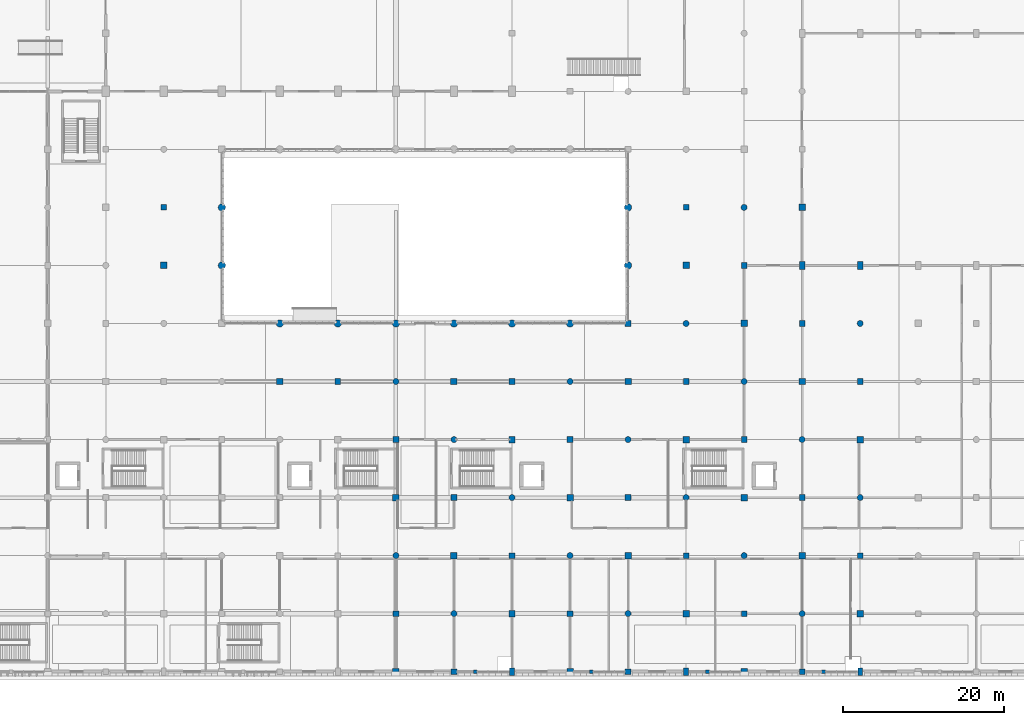
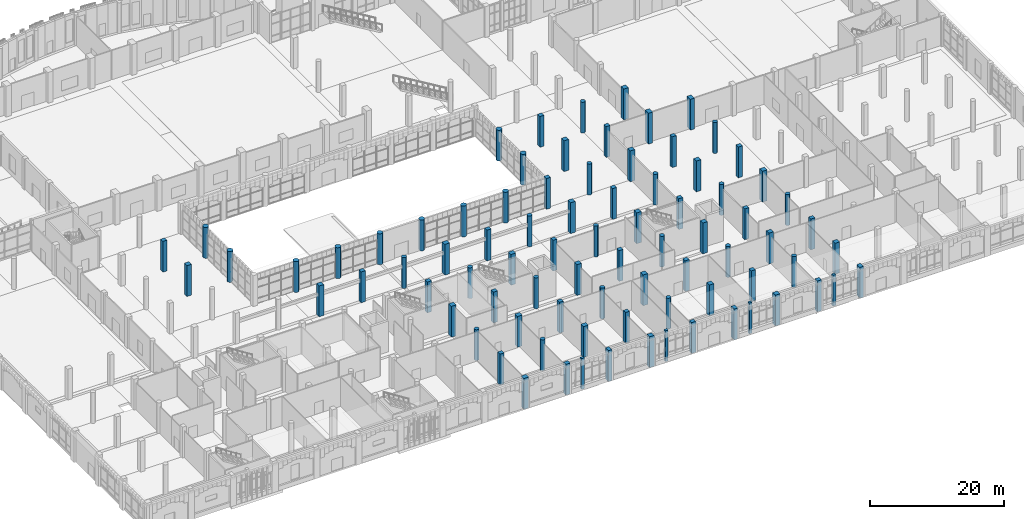
# One storey, part 4 of 85: 84 columns.
"""IFC4 building model written with IfcOpenShell, lengths in metres."""

from ifc_helpers import new_model, si_unit, direction, frame, origin, origin_2d, place, context, subcontext, project, spatial, rectangle, circle, extrude, material, material_profile, profile_set, type_object, element, save


model = new_model("IFC4")

# Units and contexts
model_context = context("Model", 3, precision=1e-05, world=origin(), true_north=direction((0.0, 1.0)))
body_context = subcontext(model_context, "Body", "Model", "MODEL_VIEW")
ifc_project = project(units=[si_unit("LENGTHUNIT", "METRE"), si_unit("AREAUNIT", "SQUARE_METRE"), si_unit("VOLUMEUNIT", "CUBIC_METRE"), si_unit("PLANEANGLEUNIT", "RADIAN"), si_unit("MASSUNIT", "GRAM", prefix="KILO")], contexts=[model_context])

# Site, building, storey
site_placement = place(None, origin())
site = spatial("IfcSite", under=ifc_project, at=site_placement, CompositionType="ELEMENT")
building_placement = place(site_placement, origin())
building = spatial("IfcBuilding", under=site, at=building_placement, Name="Sardonyx Promenade Sports Hall", CompositionType="ELEMENT")
storey_placement = place(building_placement, origin())
storey = spatial("IfcBuildingStorey", under=building, at=storey_placement, Name="L00", CompositionType="ELEMENT", Elevation=0.0)

# Columns
ifc_material_1 = material(Name="Concrete C40/50", Category="concrete")
ifc_material_profile_1 = material_profile(ifc_material_1, rectangle(XDim=0.449951171875, YDim=0.449951171875, at=origin_2d()))
ifc_profile_set_1 = profile_set([ifc_material_profile_1], Name="Concrete C40/50")
column_type_1 = type_object("IfcColumnType", Name="Col_Ext_RC450", PredefinedType="PILASTER", material=ifc_profile_set_1)
for number, where, z_axis, x_axis, name in (
    (1, (74.64990234375, 0.0, 0.0), (0.0, 0.0, 1.0), (1.0, 0.0, 0.0), "Sandstone facade pilaster #3"),
    (2, (89.050048828125, 0.0, 0.0), (0.0, 0.0, 1.0), (1.0, 0.0, 0.0), "Sandstone facade pilaster #4"),
    (3, (103.449951171875, 0.0, 0.0), (0.0, 0.0, 1.0), (1.0, 0.0, 0.0), "Sandstone facade pilaster #5"),
    (4, (117.85009765625, 0.0, 0.0), (0.0, 0.0, 1.0), (1.0, 0.0, 0.0), "Sandstone facade pilaster #6"),
):
    element("IfcColumn", number, at=place(storey_placement, frame(where, z_axis=z_axis, x_axis=x_axis)), inside=storey, type_object=column_type_1, Name=name, PredefinedType="PILASTER", context=body_context, shape_type="SweptSolid", body=[
        extrude(rectangle(XDim=0.449951171875, YDim=0.449951171875, at=origin_2d()), origin(), (0.0, 0.0, 1.0), 5.60009765625),
    ])
ifc_material_2 = material(Name="Concrete C40/50", Category="concrete")
ifc_material_profile_2 = material_profile(ifc_material_2, rectangle(XDim=0.60009765625, YDim=0.89990234375, at=origin_2d()))
ifc_profile_set_2 = profile_set([ifc_material_profile_2], Name="Concrete C40/50")
column_type_2 = type_object("IfcColumnType", Name="Col_Ext_RC600x900", PredefinedType="COLUMN", material=ifc_profile_set_2)
for number, where, z_axis, x_axis, name in (
    (5, (79.199951171875, 0.0, 0.0), (0.0, 0.0, 1.0), (1.0, 0.0, 0.0), "Column CE12 L00 (79.2,0.0)"),
    (6, (100.800048828125, 0.0, 0.0), (0.0, 0.0, 1.0), (1.0, 0.0, 0.0), "Column CE12 L00 (100.8,0.0)"),
    (7, (122.39990234375, 0.0, 0.0), (0.0, 0.0, 1.0), (1.0, 0.0, 0.0), "Column CE12 L00 (122.4,0.0)"),
):
    element("IfcColumn", number, at=place(storey_placement, frame(where, z_axis=z_axis, x_axis=x_axis)), inside=storey, type_object=column_type_2, Name=name, PredefinedType="COLUMN", context=body_context, shape_type="SweptSolid", body=[
        extrude(rectangle(XDim=0.60009765625, YDim=0.89990234375, at=origin_2d()), origin(), (0.0, 0.0, 1.0), 5.60009765625),
    ])
ifc_material_3 = material(Name="Concrete C40/50", Category="concrete")
ifc_material_profile_3 = material_profile(ifc_material_3, rectangle(XDim=0.699951171875, YDim=0.699951171875, at=origin_2d()))
ifc_profile_set_3 = profile_set([ifc_material_profile_3], Name="Concrete C40/50")
column_type_3 = type_object("IfcColumnType", Name="Col_Ext_RC700", PredefinedType="COLUMN", material=ifc_profile_set_3)
for number, where, z_axis, x_axis, name in (
    (8, (72.0, 0.0, 0.0), (0.0, 0.0, 1.0), (1.0, 0.0, 0.0), "Column CE05 L00 (72.0,0.0)"),
    (9, (93.60009765625, 0.0, 0.0), (0.0, 0.0, 1.0), (1.0, 0.0, 0.0), "Column CE05 L00 (93.6,0.0)"),
    (10, (115.199951171875, 0.0, 0.0), (0.0, 0.0, 1.0), (1.0, 0.0, 0.0), "Column CE05 L00 (115.2,0.0)"),
):
    element("IfcColumn", number, at=place(storey_placement, frame(where, z_axis=z_axis, x_axis=x_axis)), inside=storey, type_object=column_type_3, Name=name, PredefinedType="COLUMN", context=body_context, shape_type="SweptSolid", body=[
        extrude(rectangle(XDim=0.699951171875, YDim=0.699951171875, at=origin_2d()), origin(), (0.0, 0.0, 1.0), 5.60009765625),
    ])
ifc_material_4 = material(Name="Concrete C50/60", Category="concrete")
ifc_material_profile_4 = material_profile(ifc_material_4, rectangle(XDim=0.699951171875, YDim=1.0, at=origin_2d()))
ifc_profile_set_4 = profile_set([ifc_material_profile_4], Name="Concrete C50/60")
column_type_4 = type_object("IfcColumnType", Name="Col_Ext_RC700x1000", PredefinedType="COLUMN", material=ifc_profile_set_4)
for number, where, z_axis, x_axis, name in (
    (11, (115.199951171875, 50.39990234375, 0.0), (0.0, 0.0, 1.0), (1.0, 0.0, 0.0), "Column CE02 L00 (115.2,50.4)"),
    (12, (122.39990234375, 50.39990234375, 0.0), (0.0, 0.0, 1.0), (1.0, 0.0, 0.0), "Column CE02 L00 (122.4,50.4)"),
):
    element("IfcColumn", number, at=place(storey_placement, frame(where, z_axis=z_axis, x_axis=x_axis)), inside=storey, type_object=column_type_4, Name=name, PredefinedType="COLUMN", context=body_context, shape_type="SweptSolid", body=[
        extrude(rectangle(XDim=0.699951171875, YDim=1.0, at=origin_2d()), origin(), (0.0, 0.0, 1.0), 5.60009765625),
    ])
ifc_material_5 = material(Name="Concrete C50/60", Category="concrete")
ifc_material_profile_5 = material_profile(ifc_material_5, rectangle(XDim=0.800048828125, YDim=0.800048828125, at=origin_2d()))
ifc_profile_set_5 = profile_set([ifc_material_profile_5], Name="Concrete C50/60")
column_type_5 = type_object("IfcColumnType", Name="Col_Ext_RC800", PredefinedType="COLUMN", material=ifc_profile_set_5)
for number, where, z_axis, x_axis, name in (
    (13, (64.800048828125, 0.0, 0.0), (0.0, 0.0, 1.0), (1.0, 0.0, 0.0), "Column CE13 L00 (64.8,0.0)"),
    (14, (86.39990234375, 0.0, 0.0), (0.0, 0.0, 1.0), (1.0, 0.0, 0.0), "Column CE13 L00 (86.4,0.0)"),
    (15, (108.0, 0.0, 0.0), (0.0, 0.0, 1.0), (1.0, 0.0, 0.0), "Column CE13 L00 (108.0,0.0)"),
):
    element("IfcColumn", number, at=place(storey_placement, frame(where, z_axis=z_axis, x_axis=x_axis)), inside=storey, type_object=column_type_5, Name=name, PredefinedType="COLUMN", context=body_context, shape_type="SweptSolid", body=[
        extrude(rectangle(XDim=0.800048828125, YDim=0.800048828125, at=origin_2d()), origin(), (0.0, 0.0, 1.0), 5.60009765625),
    ])
ifc_material_6 = material(Name="Concrete C50/60", Category="concrete")
ifc_material_profile_6 = material_profile(ifc_material_6, circle(Radius=0.449951171875, at=origin_2d()))
ifc_profile_set_6 = profile_set([ifc_material_profile_6], Name="Concrete C50/60")
column_type_6 = type_object("IfcColumnType", Name="Col_Ext_RCD900", PredefinedType="COLUMN", material=ifc_profile_set_6)
for number, where, z_axis, x_axis, name in (
    (16, (43.199951171875, 50.39990234375, 0.0), (0.0, 0.0, 1.0), (1.0, 0.0, 0.0), "Column CE04 L00 (43.2,50.4)"),
    (17, (43.199951171875, 57.60009765625, 0.0), (0.0, 0.0, 1.0), (1.0, 0.0, 0.0), "Column CE04 L00 (43.2,57.6)"),
    (18, (50.39990234375, 43.199951171875, 0.0), (0.0, 0.0, 1.0), (1.0, 0.0, 0.0), "Column CE04 L00 (50.4,43.2)"),
    (19, (57.60009765625, 43.199951171875, 0.0), (0.0, 0.0, 1.0), (1.0, 0.0, 0.0), "Column CE04 L00 (57.6,43.2)"),
    (20, (64.800048828125, 43.199951171875, 0.0), (0.0, 0.0, 1.0), (1.0, 0.0, 0.0), "Column CE04 L00 (64.8,43.2)"),
    (21, (72.0, 43.199951171875, 0.0), (0.0, 0.0, 1.0), (1.0, 0.0, 0.0), "Column CE04 L00 (72.0,43.2)"),
    (22, (79.199951171875, 43.199951171875, 0.0), (0.0, 0.0, 1.0), (1.0, 0.0, 0.0), "Column CE04 L00 (79.2,43.2)"),
    (23, (86.39990234375, 43.199951171875, 0.0), (0.0, 0.0, 1.0), (1.0, 0.0, 0.0), "Column CE04 L00 (86.4,43.2)"),
    (24, (93.60009765625, 50.39990234375, 0.0), (0.0, 0.0, 1.0), (1.0, 0.0, 0.0), "Column CE04 L00 (93.6,50.4)"),
    (25, (93.60009765625, 57.60009765625, 0.0), (0.0, 0.0, 1.0), (1.0, 0.0, 0.0), "Column CE04 L00 (93.6,57.6)"),
):
    element("IfcColumn", number, at=place(storey_placement, frame(where, z_axis=z_axis, x_axis=x_axis)), inside=storey, type_object=column_type_6, Name=name, PredefinedType="COLUMN", context=body_context, shape_type="SweptSolid", body=[
        extrude(circle(Radius=0.449951171875, at=origin_2d()), origin(), (0.0, 0.0, 1.0), 5.60009765625),
    ])
ifc_material_7 = material(Name="Concrete C50/60", Category="concrete")
ifc_material_profile_7 = material_profile(ifc_material_7, rectangle(XDim=0.699951171875, YDim=0.699951171875, at=origin_2d()))
ifc_profile_set_7 = profile_set([ifc_material_profile_7], Name="Concrete C50/60")
column_type_7 = type_object("IfcColumnType", Name="Col_Int_RC700", PredefinedType="COLUMN", material=ifc_profile_set_7)
for number, where, z_axis, x_axis, name in (
    (26, (36.0, 57.60009765625, 0.0), (0.0, 0.0, 1.0), (1.0, 0.0, 0.0), "Column CI03 L00 (36.0,57.6)"),
    (27, (57.60009765625, 36.0, 0.0), (0.0, 0.0, 1.0), (1.0, 0.0, 0.0), "Column CI03 L00 (57.6,36.0)"),
    (28, (64.800048828125, 7.199951171875, 0.0), (0.0, 0.0, 1.0), (1.0, 0.0, 0.0), "Column CI03 L00 (64.8,7.2)"),
    (29, (64.800048828125, 28.800048828125, 0.0), (0.0, 0.0, 1.0), (1.0, 0.0, 0.0), "Column CI03 L00 (64.8,28.8)"),
    (30, (72.0, 21.60009765625, 0.0), (0.0, 0.0, 1.0), (1.0, 0.0, 0.0), "Column CI03 L00 (72.0,21.6)"),
    (31, (79.199951171875, 14.39990234375, 0.0), (0.0, 0.0, 1.0), (1.0, 0.0, 0.0), "Column CI03 L00 (79.2,14.4)"),
    (32, (79.199951171875, 36.0, 0.0), (0.0, 0.0, 1.0), (1.0, 0.0, 0.0), "Column CI03 L00 (79.2,36.0)"),
    (33, (86.39990234375, 7.199951171875, 0.0), (0.0, 0.0, 1.0), (1.0, 0.0, 0.0), "Column CI03 L00 (86.4,7.2)"),
    (34, (86.39990234375, 28.800048828125, 0.0), (0.0, 0.0, 1.0), (1.0, 0.0, 0.0), "Column CI03 L00 (86.4,28.8)"),
    (35, (93.60009765625, 21.60009765625, 0.0), (0.0, 0.0, 1.0), (1.0, 0.0, 0.0), "Column CI03 L00 (93.6,21.6)"),
    (36, (93.60009765625, 43.199951171875, 0.0), (0.0, 0.0, 1.0), (1.0, 0.0, 0.0), "Column CI03 L00 (93.6,43.2)"),
    (37, (100.800048828125, 14.39990234375, 0.0), (0.0, 0.0, 1.0), (1.0, 0.0, 0.0), "Column CI03 L00 (100.8,14.4)"),
    (38, (100.800048828125, 36.0, 0.0), (0.0, 0.0, 1.0), (1.0, 0.0, 0.0), "Column CI03 L00 (100.8,36.0)"),
    (39, (100.800048828125, 57.60009765625, 0.0), (0.0, 0.0, 1.0), (1.0, 0.0, 0.0), "Column CI03 L00 (100.8,57.6)"),
    (40, (108.0, 7.199951171875, 0.0), (0.0, 0.0, 1.0), (1.0, 0.0, 0.0), "Column CI03 L00 (108.0,7.2)"),
    (41, (108.0, 28.800048828125, 0.0), (0.0, 0.0, 1.0), (1.0, 0.0, 0.0), "Column CI03 L00 (108.0,28.8)"),
    (42, (108.0, 50.39990234375, 0.0), (0.0, 0.0, 1.0), (1.0, 0.0, 0.0), "Column CI03 L00 (108.0,50.4)"),
    (43, (115.199951171875, 21.60009765625, 0.0), (0.0, 0.0, 1.0), (1.0, 0.0, 0.0), "Column CI03 L00 (115.2,21.6)"),
    (44, (115.199951171875, 43.199951171875, 0.0), (0.0, 0.0, 1.0), (1.0, 0.0, 0.0), "Column CI03 L00 (115.2,43.2)"),
    (45, (122.39990234375, 14.39990234375, 0.0), (0.0, 0.0, 1.0), (1.0, 0.0, 0.0), "Column CI03 L00 (122.4,14.4)"),
    (46, (122.39990234375, 36.0, 0.0), (0.0, 0.0, 1.0), (1.0, 0.0, 0.0), "Column CI03 L00 (122.4,36.0)"),
):
    element("IfcColumn", number, at=place(storey_placement, frame(where, z_axis=z_axis, x_axis=x_axis)), inside=storey, type_object=column_type_7, Name=name, PredefinedType="COLUMN", context=body_context, shape_type="SweptSolid", body=[
        extrude(rectangle(XDim=0.699951171875, YDim=0.699951171875, at=origin_2d()), origin(), (0.0, 0.0, 1.0), 5.60009765625),
    ])
ifc_material_8 = material(Name="Concrete C50/60", Category="concrete")
ifc_material_profile_8 = material_profile(ifc_material_8, rectangle(XDim=0.800048828125, YDim=0.800048828125, at=origin_2d()))
ifc_profile_set_8 = profile_set([ifc_material_profile_8], Name="Concrete C50/60")
column_type_8 = type_object("IfcColumnType", Name="Col_Int_RC800", PredefinedType="COLUMN", material=ifc_profile_set_8)
for number, where, z_axis, x_axis, name in (
    (47, (36.0, 50.39990234375, 0.0), (0.0, 0.0, 1.0), (1.0, 0.0, 0.0), "Column CI01 L00 (36.0,50.4)"),
    (48, (50.39990234375, 36.0, 0.0), (0.0, 0.0, 1.0), (1.0, 0.0, 0.0), "Column CI01 L00 (50.4,36.0)"),
    (49, (64.800048828125, 21.60009765625, 0.0), (0.0, 0.0, 1.0), (1.0, 0.0, 0.0), "Column CI01 L00 (64.8,21.6)"),
    (50, (72.0, 14.39990234375, 0.0), (0.0, 0.0, 1.0), (1.0, 0.0, 0.0), "Column CI01 L00 (72.0,14.4)"),
    (51, (72.0, 36.0, 0.0), (0.0, 0.0, 1.0), (1.0, 0.0, 0.0), "Column CI01 L00 (72.0,36.0)"),
    (52, (79.199951171875, 7.199951171875, 0.0), (0.0, 0.0, 1.0), (1.0, 0.0, 0.0), "Column CI01 L00 (79.2,7.2)"),
    (53, (79.199951171875, 28.800048828125, 0.0), (0.0, 0.0, 1.0), (1.0, 0.0, 0.0), "Column CI01 L00 (79.2,28.8)"),
    (54, (86.39990234375, 21.60009765625, 0.0), (0.0, 0.0, 1.0), (1.0, 0.0, 0.0), "Column CI01 L00 (86.4,21.6)"),
    (55, (93.60009765625, 14.39990234375, 0.0), (0.0, 0.0, 1.0), (1.0, 0.0, 0.0), "Column CI01 L00 (93.6,14.4)"),
    (56, (93.60009765625, 36.0, 0.0), (0.0, 0.0, 1.0), (1.0, 0.0, 0.0), "Column CI01 L00 (93.6,36.0)"),
    (57, (100.800048828125, 7.199951171875, 0.0), (0.0, 0.0, 1.0), (1.0, 0.0, 0.0), "Column CI01 L00 (100.8,7.2)"),
    (58, (100.800048828125, 28.800048828125, 0.0), (0.0, 0.0, 1.0), (1.0, 0.0, 0.0), "Column CI01 L00 (100.8,28.8)"),
    (59, (100.800048828125, 50.39990234375, 0.0), (0.0, 0.0, 1.0), (1.0, 0.0, 0.0), "Column CI01 L00 (100.8,50.4)"),
    (60, (108.0, 21.60009765625, 0.0), (0.0, 0.0, 1.0), (1.0, 0.0, 0.0), "Column CI01 L00 (108.0,21.6)"),
    (61, (108.0, 43.199951171875, 0.0), (0.0, 0.0, 1.0), (1.0, 0.0, 0.0), "Column CI01 L00 (108.0,43.2)"),
    (62, (115.199951171875, 14.39990234375, 0.0), (0.0, 0.0, 1.0), (1.0, 0.0, 0.0), "Column CI01 L00 (115.2,14.4)"),
    (63, (115.199951171875, 36.0, 0.0), (0.0, 0.0, 1.0), (1.0, 0.0, 0.0), "Column CI01 L00 (115.2,36.0)"),
    (64, (115.199951171875, 57.60009765625, 0.0), (0.0, 0.0, 1.0), (1.0, 0.0, 0.0), "Column CI01 L00 (115.2,57.6)"),
    (65, (122.39990234375, 7.199951171875, 0.0), (0.0, 0.0, 1.0), (1.0, 0.0, 0.0), "Column CI01 L00 (122.4,7.2)"),
    (66, (122.39990234375, 28.800048828125, 0.0), (0.0, 0.0, 1.0), (1.0, 0.0, 0.0), "Column CI01 L00 (122.4,28.8)"),
):
    element("IfcColumn", number, at=place(storey_placement, frame(where, z_axis=z_axis, x_axis=x_axis)), inside=storey, type_object=column_type_8, Name=name, PredefinedType="COLUMN", context=body_context, shape_type="SweptSolid", body=[
        extrude(rectangle(XDim=0.800048828125, YDim=0.800048828125, at=origin_2d()), origin(), (0.0, 0.0, 1.0), 5.60009765625),
    ])
ifc_material_9 = material(Name="Concrete C50/60", Category="concrete")
ifc_material_profile_9 = material_profile(ifc_material_9, circle(Radius=0.375, at=origin_2d()))
ifc_profile_set_9 = profile_set([ifc_material_profile_9], Name="Concrete C50/60")
column_type_9 = type_object("IfcColumnType", Name="Col_Int_RCD750", PredefinedType="COLUMN", material=ifc_profile_set_9)
for number, where, z_axis, x_axis, name in (
    (67, (64.800048828125, 14.39990234375, 0.0), (0.0, 0.0, 1.0), (1.0, 0.0, 0.0), "Column CI07 L00 (64.8,14.4)"),
    (68, (64.800048828125, 36.0, 0.0), (0.0, 0.0, 1.0), (1.0, 0.0, 0.0), "Column CI07 L00 (64.8,36.0)"),
    (69, (72.0, 7.199951171875, 0.0), (0.0, 0.0, 1.0), (1.0, 0.0, 0.0), "Column CI07 L00 (72.0,7.2)"),
    (70, (72.0, 28.800048828125, 0.0), (0.0, 0.0, 1.0), (1.0, 0.0, 0.0), "Column CI07 L00 (72.0,28.8)"),
    (71, (79.199951171875, 21.60009765625, 0.0), (0.0, 0.0, 1.0), (1.0, 0.0, 0.0), "Column CI07 L00 (79.2,21.6)"),
    (72, (86.39990234375, 14.39990234375, 0.0), (0.0, 0.0, 1.0), (1.0, 0.0, 0.0), "Column CI07 L00 (86.4,14.4)"),
    (73, (86.39990234375, 36.0, 0.0), (0.0, 0.0, 1.0), (1.0, 0.0, 0.0), "Column CI07 L00 (86.4,36.0)"),
    (74, (93.60009765625, 7.199951171875, 0.0), (0.0, 0.0, 1.0), (1.0, 0.0, 0.0), "Column CI07 L00 (93.6,7.2)"),
    (75, (93.60009765625, 28.800048828125, 0.0), (0.0, 0.0, 1.0), (1.0, 0.0, 0.0), "Column CI07 L00 (93.6,28.8)"),
    (76, (100.800048828125, 21.60009765625, 0.0), (0.0, 0.0, 1.0), (1.0, 0.0, 0.0), "Column CI07 L00 (100.8,21.6)"),
    (77, (100.800048828125, 43.199951171875, 0.0), (0.0, 0.0, 1.0), (1.0, 0.0, 0.0), "Column CI07 L00 (100.8,43.2)"),
    (78, (108.0, 14.39990234375, 0.0), (0.0, 0.0, 1.0), (1.0, 0.0, 0.0), "Column CI07 L00 (108.0,14.4)"),
    (79, (108.0, 36.0, 0.0), (0.0, 0.0, 1.0), (1.0, 0.0, 0.0), "Column CI07 L00 (108.0,36.0)"),
    (80, (108.0, 57.60009765625, 0.0), (0.0, 0.0, 1.0), (1.0, 0.0, 0.0), "Column CI07 L00 (108.0,57.6)"),
    (81, (115.199951171875, 7.199951171875, 0.0), (0.0, 0.0, 1.0), (1.0, 0.0, 0.0), "Column CI07 L00 (115.2,7.2)"),
    (82, (115.199951171875, 28.800048828125, 0.0), (0.0, 0.0, 1.0), (1.0, 0.0, 0.0), "Column CI07 L00 (115.2,28.8)"),
    (83, (122.39990234375, 21.60009765625, 0.0), (0.0, 0.0, 1.0), (1.0, 0.0, 0.0), "Column CI07 L00 (122.4,21.6)"),
    (84, (122.39990234375, 43.199951171875, 0.0), (0.0, 0.0, 1.0), (1.0, 0.0, 0.0), "Column CI07 L00 (122.4,43.2)"),
):
    element("IfcColumn", number, at=place(storey_placement, frame(where, z_axis=z_axis, x_axis=x_axis)), inside=storey, type_object=column_type_9, Name=name, PredefinedType="COLUMN", context=body_context, shape_type="SweptSolid", body=[
        extrude(circle(Radius=0.375, at=origin_2d()), origin(), (0.0, 0.0, 1.0), 5.60009765625),
    ])

save(model, "model.ifc")
